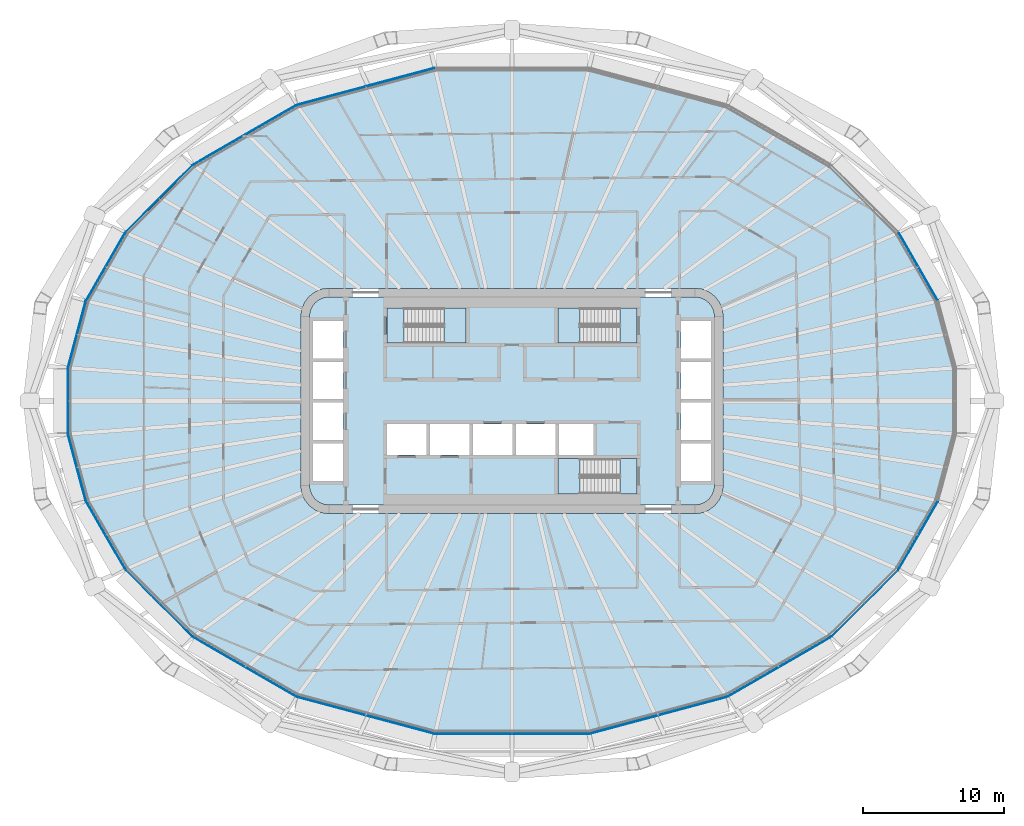
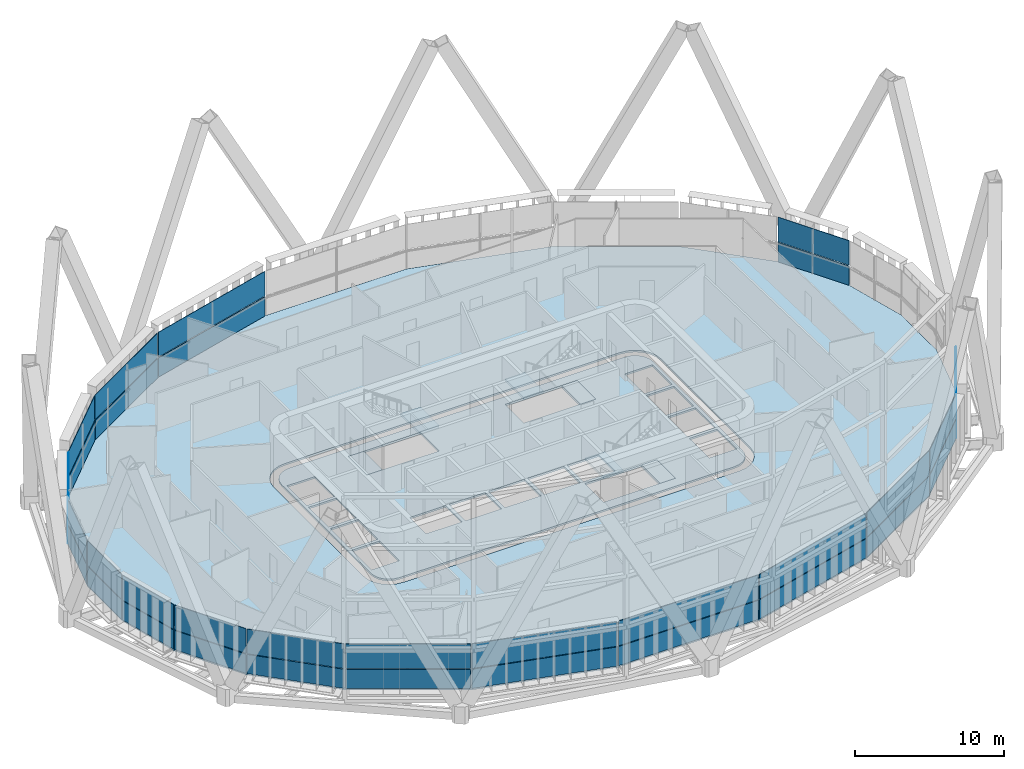
# One storey, part 12 of 25: 34 plates, 8 slabs, 20 elements without a shape of their own.
"""IFC4 building model written with IfcOpenShell, lengths in metres."""

from ifc_helpers import new_model, si_unit, direction, frame, origin, place, context, subcontext, project, spatial, polyline, outline, extrude, material, layer, layer_set, type_object, element, aggregate, save


model = new_model("IFC4")

# Units and contexts
model_context = context("Model", 3, precision=1e-05, world=origin(), true_north=direction((0.0, 1.0)))
body_context = subcontext(model_context, "Body", "Model", "MODEL_VIEW")
ifc_project = project(units=[si_unit("LENGTHUNIT", "METRE"), si_unit("AREAUNIT", "SQUARE_METRE"), si_unit("VOLUMEUNIT", "CUBIC_METRE"), si_unit("PLANEANGLEUNIT", "RADIAN"), si_unit("MASSUNIT", "GRAM", prefix="KILO")], contexts=[model_context])

# Site, building, storey
site_placement = place(None, origin())
site = spatial("IfcSite", under=ifc_project, at=site_placement, CompositionType="ELEMENT")
building_placement = place(site_placement, origin())
building = spatial("IfcBuilding", under=site, at=building_placement, Name="Sahrelin Media Tower", CompositionType="ELEMENT")
storey_placement = place(building_placement, frame((0.0, 0.0, 79.800048828125)))
storey = spatial("IfcBuildingStorey", under=building, at=storey_placement, Name="L14", CompositionType="ELEMENT", Elevation=79.800048828125)

# Slabs
ifc_material_1 = material(Name="Concrete C40/50", Category="concrete")
ifc_layer_1 = layer(ifc_material_1, 0.14990234375)
ifc_layer_set_1 = layer_set([ifc_layer_1], Name="Composite floor slab 150")
slab_type_1 = type_object("IfcSlabType", Name="Composite floor slab 150", PredefinedType="FLOOR", material=ifc_layer_set_1)
placement_1 = place(storey_placement, frame((0.0, 0.0, -0.150146484375)))
element("IfcSlab", 1, at=placement_1, inside=storey, type_object=slab_type_1, Name="Floor slab L14", PredefinedType="FLOOR", context=body_context, shape_type="SweptSolid", body=[
    extrude(outline(polyline([(31.53271484375, -2.3515625), (31.53271484375, 2.3515625), (30.259521484375, 7.103271484375), (27.459716796875, 11.95263671875), (22.646484375, 16.765625), (15.295166015625, 21.010009765625), (5.464599609375, 23.64404296875), (-5.464599609375, 23.64404296875), (-15.295166015625, 21.010009765625), (-22.646484375, 16.765625), (-27.459716796875, 11.95263671875), (-30.259521484375, 7.103271484375), (-31.53271484375, 2.3515625), (-31.53271484375, -2.3515625), (-30.259521484375, -7.103271484375), (-27.459716796875, -11.95263671875), (-22.646484375, -16.765625), (-15.295166015625, -21.010009765625), (-5.464599609375, -23.64404296875), (5.464599609375, -23.64404296875), (15.295166015625, -21.010009765625), (22.646484375, -16.765625), (27.459716796875, -11.95263671875), (30.259521484375, -7.103271484375), (31.53271484375, -2.3515625)]), holes=[polyline([(14.931884765625, 6.517578125), (15.0, 6.0), (15.0, -6.0), (14.931884765625, -6.517578125), (14.732177734375, -7.0), (14.414306640625, -7.414306640625), (14.0, -7.732177734375), (13.517578125, -7.931884765625), (13.0, -8.0), (-13.0, -8.0), (-13.517578125, -7.931884765625), (-14.0, -7.732177734375), (-14.414306640625, -7.414306640625), (-14.732177734375, -7.0), (-14.931884765625, -6.517578125), (-15.0, -6.0), (-15.0, 6.0), (-14.931884765625, 6.517578125), (-14.732177734375, 7.0), (-14.414306640625, 7.414306640625), (-14.0, 7.732177734375), (-13.517578125, 7.931884765625), (-13.0, 8.0), (13.0, 8.0), (13.517578125, 7.931884765625), (14.0, 7.732177734375), (14.414306640625, 7.414306640625), (14.732177734375, 7.0), (14.931884765625, 6.517578125)])]), origin(), (0.0, 0.0, 1.0), 0.150146484375),
])
ifc_layer_2 = layer(ifc_material_1, 0.14990234375)
ifc_layer_set_2 = layer_set([ifc_layer_2], Name="Core floor slab 150")
slab_type_2 = type_object("IfcSlabType", Name="Core floor slab 150", PredefinedType="FLOOR", material=ifc_layer_set_2)
element("IfcSlab", 2, at=placement_1, inside=storey, type_object=slab_type_2, Name="Core floor", PredefinedType="FLOOR", context=body_context, shape_type="SweptSolid", body=[
    extrude(outline(polyline([(-14.347412109375, 6.361083984375), (-14.39990234375, 5.960693359375), (-14.39990234375, -5.960693359375), (-14.347412109375, -6.361083984375), (-14.2080078125, -6.697509765625), (-13.986328125, -6.986328125), (-13.697509765625, -7.2080078125), (-13.361083984375, -7.347412109375), (-12.960693359375, -7.39990234375), (12.960693359375, -7.39990234375), (13.361083984375, -7.347412109375), (13.697509765625, -7.2080078125), (13.986328125, -6.986328125), (14.2080078125, -6.697509765625), (14.347412109375, -6.361083984375), (14.39990234375, -5.960693359375), (14.39990234375, 5.960693359375), (14.347412109375, 6.361083984375), (14.2080078125, 6.697509765625), (13.986328125, 6.986328125), (13.697509765625, 7.2080078125), (13.361083984375, 7.347412109375), (12.960693359375, 7.39990234375), (-12.960693359375, 7.39990234375), (-13.361083984375, 7.347412109375), (-13.697509765625, 7.2080078125), (-13.986328125, 6.986328125), (-14.2080078125, 6.697509765625), (-14.347412109375, 6.361083984375)]), holes=[polyline([(-12.0, 3.02490234375), (-12.0, 5.675048828125), (-14.14990234375, 5.675048828125), (-14.14990234375, 3.02490234375), (-12.0, 3.02490234375)]), polyline([(-14.14990234375, 0.125), (-12.0, 0.125), (-12.0, 2.77490234375), (-14.14990234375, 2.77490234375), (-14.14990234375, 0.125)]), polyline([(-14.14990234375, -0.125), (-14.14990234375, -2.77490234375), (-12.0, -2.77490234375), (-12.0, -0.125), (-14.14990234375, -0.125)]), polyline([(-12.0, -3.02490234375), (-14.14990234375, -3.02490234375), (-14.14990234375, -5.675048828125), (-12.0, -5.675048828125), (-12.0, -3.02490234375)]), polyline([(14.14990234375, 3.02490234375), (14.14990234375, 5.675048828125), (12.0, 5.675048828125), (12.0, 3.02490234375), (14.14990234375, 3.02490234375)]), polyline([(12.0, 0.125), (14.14990234375, 0.125), (14.14990234375, 2.77490234375), (12.0, 2.77490234375), (12.0, 0.125)]), polyline([(12.0, -0.125), (12.0, -2.77490234375), (14.14990234375, -2.77490234375), (14.14990234375, -0.125), (12.0, -0.125)]), polyline([(14.14990234375, -3.02490234375), (12.0, -3.02490234375), (12.0, -5.675048828125), (14.14990234375, -5.675048828125), (14.14990234375, -3.02490234375)]), polyline([(-6.074951171875, -3.85009765625), (-6.074951171875, -1.64990234375), (-8.875, -1.64990234375), (-8.875, -3.85009765625), (-6.074951171875, -3.85009765625)]), polyline([(-5.824951171875, -3.85009765625), (-3.02490234375, -3.85009765625), (-3.02490234375, -1.64990234375), (-5.824951171875, -1.64990234375), (-5.824951171875, -3.85009765625)]), polyline([(-2.77490234375, -1.64990234375), (-2.77490234375, -3.85009765625), (0.02490234375, -3.85009765625), (0.02490234375, -1.64990234375), (-2.77490234375, -1.64990234375)]), polyline([(3.074951171875, -1.64990234375), (0.27490234375, -1.64990234375), (0.27490234375, -3.85009765625), (3.074951171875, -3.85009765625), (3.074951171875, -1.64990234375)]), polyline([(5.77490234375, -3.85009765625), (5.77490234375, -1.64990234375), (3.324951171875, -1.64990234375), (3.324951171875, -3.85009765625), (5.77490234375, -3.85009765625)]), polyline([(-8.875, 6.60009765625), (-8.875, 4.10009765625), (-3.27490234375, 4.10009765625), (-3.27490234375, 6.60009765625), (-8.875, 6.60009765625)]), polyline([(3.27490234375, 4.10009765625), (8.875, 4.10009765625), (8.875, 6.60009765625), (3.27490234375, 6.60009765625), (3.27490234375, 4.10009765625)]), polyline([(3.27490234375, -4.10009765625), (3.27490234375, -6.60009765625), (8.875, -6.60009765625), (8.875, -4.10009765625), (3.27490234375, -4.10009765625)])]), origin(), (0.0, 0.0, 1.0), 0.150146484375),
])

# Curtain wall, plate
ifc_material_2 = material(Name="Champagne anodised aluminium 6063-T6", Category="aluminium")
ifc_layer_3 = layer(ifc_material_2, 0.14990234375)
ifc_layer_set_3 = layer_set([ifc_layer_3], Name="Tower ribbon curtain wall")
curtain_wall_type = type_object("IfcCurtainWallType", Name="Tower ribbon curtain wall", PredefinedType="NOTDEFINED", material=ifc_layer_set_3)
curtain_wall_1_placement = place(storey_placement, frame((28.876708984375, 9.5380859375, 0.0), z_axis=(0.0, 0.0, 1.0), x_axis=(1.0, 0.0, 0.0)))
curtain_wall_1 = element("IfcCurtainWall", 3, at=curtain_wall_1_placement, inside=storey, type_object=curtain_wall_type, Name="L14:CW:L14-02", PredefinedType="NOTDEFINED")
ifc_material_3 = material(Name="Clear low-iron glazing", Category="glass")
ifc_layer_4 = layer(ifc_material_3, 0.0400390625)
ifc_layer_set_4 = layer_set([ifc_layer_4], Name="Glazing panel 40 mm CW1")
plate_type_1 = type_object("IfcPlateType", Name="Glazing panel 40 mm CW1", PredefinedType="CURTAIN_PANEL", material=ifc_layer_set_4)
plate_1_placement = place(storey_placement, frame((30.270263671875, 7.164306640625, 1.6298828125), z_axis=(0.866023842607, 0.500002704028, 0.0), x_axis=(-0.500002704028, 0.866023842607, 0.0)))
plate_1 = element("IfcPlate", 4, at=plate_1_placement, type_object=plate_type_1, Name="L14:CWP2:L14-02", PredefinedType="CURTAIN_PANEL", context=body_context, shape_type="SweptSolid", body=[
    extrude(outline(polyline([(0.0, 0.0), (5.5048828125, 0.0), (5.5048828125, 2.0185546875), (0.0, 2.0185546875), (0.0, 0.0)])), origin(), (0.0, 0.0, -1.0), 0.0400390625),
])

curtain_wall_2_placement = place(storey_placement, frame((-10.385009765625, 22.346435546875, 0.0), z_axis=(0.0, 0.0, 1.0), x_axis=(1.0, 0.0, 0.0)))
curtain_wall_2 = element("IfcCurtainWall", 5, at=curtain_wall_2_placement, inside=storey, type_object=curtain_wall_type, Name="L14:CW:L14-07", PredefinedType="NOTDEFINED")
plate_2_placement = place(storey_placement, frame((-5.520751953125, 23.67041015625, 1.6298828125), z_axis=(-0.258824439285, 0.965924380906, 0.0), x_axis=(-0.965924380906, -0.258824439285, 0.0)))
plate_2 = element("IfcPlate", 6, at=plate_2_placement, type_object=plate_type_1, Name="L14:CWP2:L14-07", PredefinedType="CURTAIN_PANEL", context=body_context, shape_type="SweptSolid", body=[
    extrude(outline(polyline([(0.0, 0.0), (10.08251953125, 0.0), (10.08251953125, 2.0185546875), (0.0, 2.0185546875), (0.0, 0.0)])), origin(), (0.0, 0.0, -1.0), 0.0400390625),
])

curtain_wall_3_placement = place(storey_placement, frame((-18.98095703125, 18.9052734375, 0.0), z_axis=(0.0, 0.0, 1.0), x_axis=(1.0, 0.0, 0.0)))
curtain_wall_3 = element("IfcCurtainWall", 7, at=curtain_wall_3_placement, inside=storey, type_object=curtain_wall_type, Name="L14:CW:L14-08", PredefinedType="NOTDEFINED")
plate_3_placement = place(storey_placement, frame((-15.356201171875, 21.02099609375, 1.6298828125), z_axis=(-0.500008632582, 0.866020419704, 0.0), x_axis=(-0.866020419704, -0.500008632582, 0.0)))
plate_3 = element("IfcPlate", 8, at=plate_3_placement, type_object=plate_type_1, Name="L14:CWP2:L14-08", PredefinedType="CURTAIN_PANEL", context=body_context, shape_type="SweptSolid", body=[
    extrude(outline(polyline([(0.0, 0.0), (8.393798828125, 0.0), (8.393798828125, 2.0185546875), (0.0, 2.0185546875), (0.0, 0.0)])), origin(), (0.0, 0.0, -1.0), 0.0400390625),
])

curtain_wall_4_placement = place(storey_placement, frame((-25.067138671875, 14.373291015625, 0.0), z_axis=(0.0, 0.0, 1.0), x_axis=(1.0, 0.0, 0.0)))
curtain_wall_4 = element("IfcCurtainWall", 9, at=curtain_wall_4_placement, inside=storey, type_object=curtain_wall_type, Name="L14:CW:L14-09", PredefinedType="NOTDEFINED")
plate_4_placement = place(storey_placement, frame((-22.708251953125, 16.760498046875, 1.6298828125), z_axis=(-0.707106781187, 0.707106781187, 0.0), x_axis=(-0.707106781187, -0.707106781187, 0.0)))
plate_4 = element("IfcPlate", 10, at=plate_4_placement, type_object=plate_type_1, Name="L14:CWP2:L14-09", PredefinedType="CURTAIN_PANEL", context=body_context, shape_type="SweptSolid", body=[
    extrude(outline(polyline([(0.0, 0.0), (6.7119140625, 0.0), (6.7119140625, 2.0185546875), (0.0, 2.0185546875), (0.0, 0.0)])), origin(), (0.0, 0.0, -1.0), 0.0400390625),
])

curtain_wall_5_placement = place(storey_placement, frame((-28.876708984375, 9.537841796875, 0.0), z_axis=(0.0, 0.0, 1.0), x_axis=(1.0, 0.0, 0.0)))
curtain_wall_5 = element("IfcCurtainWall", 11, at=curtain_wall_5_placement, inside=storey, type_object=curtain_wall_type, Name="L14:CW:L14-10", PredefinedType="NOTDEFINED")
plate_5_placement = place(storey_placement, frame((-27.517822265625, 11.931640625, 1.6298828125), z_axis=(-0.866023842607, 0.500002704028, 0.0), x_axis=(-0.500002704028, -0.866023842607, 0.0)))
plate_5 = element("IfcPlate", 12, at=plate_5_placement, type_object=plate_type_1, Name="L14:CWP2:L14-10", PredefinedType="CURTAIN_PANEL", context=body_context, shape_type="SweptSolid", body=[
    extrude(outline(polyline([(0.0, 0.0), (5.5048828125, 0.0), (5.5048828125, 2.0185546875), (0.0, 2.0185546875), (0.0, 0.0)])), origin(), (0.0, 0.0, -1.0), 0.0400390625),
])

curtain_wall_6_placement = place(storey_placement, frame((-30.915283203125, 4.732666015625, 0.0), z_axis=(0.0, 0.0, 1.0), x_axis=(1.0, 0.0, 0.0)))
curtain_wall_6 = element("IfcCurtainWall", 13, at=curtain_wall_6_placement, inside=storey, type_object=curtain_wall_type, Name="L14:CW:L14-11", PredefinedType="NOTDEFINED")
plate_6_placement = place(storey_placement, frame((-30.310302734375, 7.06787109375, 1.6298828125), z_axis=(-0.965920945215, 0.258837260833, 0.0), x_axis=(-0.258837260833, -0.965920945215, 0.0)))
plate_6 = element("IfcPlate", 14, at=plate_6_placement, type_object=plate_type_1, Name="L14:CWP2:L14-11", PredefinedType="CURTAIN_PANEL", context=body_context, shape_type="SweptSolid", body=[
    extrude(outline(polyline([(0.0, 0.0), (4.824462890625, 0.0), (4.824462890625, 2.0185546875), (0.0, 2.0185546875), (0.0, 0.0)])), origin(), (0.0, 0.0, -1.0), 0.0400390625),
])

curtain_wall_7_placement = place(storey_placement, frame((-31.552490234375, 0.0, 0.0), z_axis=(0.0, 0.0, 1.0), x_axis=(1.0, 0.0, 0.0)))
curtain_wall_7 = element("IfcCurtainWall", 15, at=curtain_wall_7_placement, inside=storey, type_object=curtain_wall_type, Name="L14:CW:L14-12", PredefinedType="NOTDEFINED")
plate_7_placement = place(storey_placement, frame((-31.572509765625, 2.30419921875, 1.6298828125), z_axis=(-1.0, 0.0, 0.0), x_axis=(0.0, -1.0, 0.0)))
plate_7 = element("IfcPlate", 16, at=plate_7_placement, type_object=plate_type_1, Name="L14:CWP2:L14-12", PredefinedType="CURTAIN_PANEL", context=body_context, shape_type="SweptSolid", body=[
    extrude(outline(polyline([(0.0, 0.0), (4.6083984375, 0.0), (4.6083984375, 2.0185546875), (0.0, 2.0185546875), (0.0, 0.0)])), origin(), (0.0, 0.0, -1.0), 0.0400390625),
])

curtain_wall_8_placement = place(storey_placement, frame((-30.915283203125, -4.732666015625, 0.0), z_axis=(0.0, 0.0, 1.0), x_axis=(1.0, 0.0, 0.0)))
curtain_wall_8 = element("IfcCurtainWall", 17, at=curtain_wall_8_placement, inside=storey, type_object=curtain_wall_type, Name="L14:CW:L14-13", PredefinedType="NOTDEFINED")
plate_8_placement = place(storey_placement, frame((-31.55908203125, -2.40771484375, 1.6298828125), z_axis=(-0.965920945215, -0.258837260833, 0.0), x_axis=(0.258837260833, -0.965920945215, 0.0)))
plate_8 = element("IfcPlate", 18, at=plate_8_placement, type_object=plate_type_1, Name="L14:CWP2:L14-13", PredefinedType="CURTAIN_PANEL", context=body_context, shape_type="SweptSolid", body=[
    extrude(outline(polyline([(0.0, 0.0), (4.824462890625, 0.0), (4.824462890625, 2.0185546875), (0.0, 2.0185546875), (0.0, 0.0)])), origin(), (0.0, 0.0, -1.0), 0.0400390625),
])

curtain_wall_9_placement = place(storey_placement, frame((-28.876708984375, -9.5380859375, 0.0), z_axis=(0.0, 0.0, 1.0), x_axis=(1.0, 0.0, 0.0)))
curtain_wall_9 = element("IfcCurtainWall", 19, at=curtain_wall_9_placement, inside=storey, type_object=curtain_wall_type, Name="L14:CW:L14-14", PredefinedType="NOTDEFINED")
plate_9_placement = place(storey_placement, frame((-30.270263671875, -7.164306640625, 1.6298828125), z_axis=(-0.866023842607, -0.500002704028, 0.0), x_axis=(0.500002704028, -0.866023842607, 0.0)))
plate_9 = element("IfcPlate", 20, at=plate_9_placement, type_object=plate_type_1, Name="L14:CWP2:L14-14", PredefinedType="CURTAIN_PANEL", context=body_context, shape_type="SweptSolid", body=[
    extrude(outline(polyline([(0.0, 0.0), (5.5048828125, 0.0), (5.5048828125, 2.0185546875), (0.0, 2.0185546875), (0.0, 0.0)])), origin(), (0.0, 0.0, -1.0), 0.0400390625),
])

curtain_wall_10_placement = place(storey_placement, frame((-25.067138671875, -14.373291015625, 0.0), z_axis=(0.0, 0.0, 1.0), x_axis=(1.0, 0.0, 0.0)))
curtain_wall_10 = element("IfcCurtainWall", 21, at=curtain_wall_10_placement, inside=storey, type_object=curtain_wall_type, Name="L14:CW:L14-15", PredefinedType="NOTDEFINED")
plate_10_placement = place(storey_placement, frame((-27.454345703125, -12.014404296875, 1.6298828125), z_axis=(-0.707106781187, -0.707106781187, 0.0), x_axis=(0.707106781187, -0.707106781187, 0.0)))
plate_10 = element("IfcPlate", 22, at=plate_10_placement, type_object=plate_type_1, Name="L14:CWP2:L14-15", PredefinedType="CURTAIN_PANEL", context=body_context, shape_type="SweptSolid", body=[
    extrude(outline(polyline([(0.0, 0.0), (6.7119140625, 0.0), (6.7119140625, 2.0185546875), (0.0, 2.0185546875), (0.0, 0.0)])), origin(), (0.0, 0.0, -1.0), 0.0400390625),
])

curtain_wall_11_placement = place(storey_placement, frame((-18.980712890625, -18.905029296875, 0.0), z_axis=(0.0, 0.0, 1.0), x_axis=(1.0, 0.0, 0.0)))
curtain_wall_11 = element("IfcCurtainWall", 23, at=curtain_wall_11_placement, inside=storey, type_object=curtain_wall_type, Name="L14:CW:L14-16", PredefinedType="NOTDEFINED")
plate_11_placement = place(storey_placement, frame((-22.62548828125, -16.823974609375, 1.6298828125), z_axis=(-0.500008632582, -0.866020419704, 0.0), x_axis=(0.866020419704, -0.500008632582, 0.0)))
plate_11 = element("IfcPlate", 24, at=plate_11_placement, type_object=plate_type_1, Name="L14:CWP2:L14-16", PredefinedType="CURTAIN_PANEL", context=body_context, shape_type="SweptSolid", body=[
    extrude(outline(polyline([(0.0, 0.0), (8.393798828125, 0.0), (8.393798828125, 2.0185546875), (0.0, 2.0185546875), (0.0, 0.0)])), origin(), (0.0, 0.0, -1.0), 0.0400390625),
])

curtain_wall_12_placement = place(storey_placement, frame((-10.385009765625, -22.346435546875, 0.0), z_axis=(0.0, 0.0, 1.0), x_axis=(1.0, 0.0, 0.0)))
curtain_wall_12 = element("IfcCurtainWall", 25, at=curtain_wall_12_placement, inside=storey, type_object=curtain_wall_type, Name="L14:CW:L14-17", PredefinedType="NOTDEFINED")
plate_12_placement = place(storey_placement, frame((-15.259765625, -21.060791015625, 1.6298828125), z_axis=(-0.258824439285, -0.965924380906, 0.0), x_axis=(0.965924380906, -0.258824439285, 0.0)))
plate_12 = element("IfcPlate", 26, at=plate_12_placement, type_object=plate_type_1, Name="L14:CWP2:L14-17", PredefinedType="CURTAIN_PANEL", context=body_context, shape_type="SweptSolid", body=[
    extrude(outline(polyline([(0.0, 0.0), (10.08251953125, 0.0), (10.08251953125, 2.0185546875), (0.0, 2.0185546875), (0.0, 0.0)])), origin(), (0.0, 0.0, -1.0), 0.0400390625),
])

curtain_wall_13_placement = place(storey_placement, frame((0.0, -23.6640625, 0.0), z_axis=(0.0, 0.0, 1.0), x_axis=(1.0, 0.0, 0.0)))
curtain_wall_13 = element("IfcCurtainWall", 27, at=curtain_wall_13_placement, inside=storey, type_object=curtain_wall_type, Name="L14:CW:L14-18", PredefinedType="NOTDEFINED")
plate_13_placement = place(storey_placement, frame((-5.417236328125, -23.68408203125, 1.6298828125), z_axis=(0.0, -1.0, 0.0), x_axis=(1.0, 0.0, 0.0)))
plate_13 = element("IfcPlate", 28, at=plate_13_placement, type_object=plate_type_1, Name="L14:CWP2:L14-18", PredefinedType="CURTAIN_PANEL", context=body_context, shape_type="SweptSolid", body=[
    extrude(outline(polyline([(0.0, 0.0), (10.83447265625, 0.0), (10.83447265625, 2.0185546875), (0.0, 2.0185546875), (0.0, 0.0)])), origin(), (0.0, 0.0, -1.0), 0.0400390625),
])

curtain_wall_14_placement = place(storey_placement, frame((10.385009765625, -22.346435546875, 0.0), z_axis=(0.0, 0.0, 1.0), x_axis=(1.0, 0.0, 0.0)))
curtain_wall_14 = element("IfcCurtainWall", 29, at=curtain_wall_14_placement, inside=storey, type_object=curtain_wall_type, Name="L14:CW:L14-19", PredefinedType="NOTDEFINED")
plate_14_placement = place(storey_placement, frame((5.520751953125, -23.67041015625, 1.6298828125), z_axis=(0.258824439285, -0.965924380906, 0.0), x_axis=(0.965924380906, 0.258824439285, 0.0)))
plate_14 = element("IfcPlate", 30, at=plate_14_placement, type_object=plate_type_1, Name="L14:CWP2:L14-19", PredefinedType="CURTAIN_PANEL", context=body_context, shape_type="SweptSolid", body=[
    extrude(outline(polyline([(0.0, 0.0), (10.08251953125, 0.0), (10.08251953125, 2.0185546875), (0.0, 2.0185546875), (0.0, 0.0)])), origin(), (0.0, 0.0, -1.0), 0.0400390625),
])

curtain_wall_15_placement = place(storey_placement, frame((18.98095703125, -18.9052734375, 0.0), z_axis=(0.0, 0.0, 1.0), x_axis=(1.0, 0.0, 0.0)))
curtain_wall_15 = element("IfcCurtainWall", 31, at=curtain_wall_15_placement, inside=storey, type_object=curtain_wall_type, Name="L14:CW:L14-20", PredefinedType="NOTDEFINED")
plate_15_placement = place(storey_placement, frame((15.356201171875, -21.02099609375, 1.6298828125), z_axis=(0.500008632582, -0.866020419704, 0.0), x_axis=(0.866020419704, 0.500008632582, 0.0)))
plate_15 = element("IfcPlate", 32, at=plate_15_placement, type_object=plate_type_1, Name="L14:CWP2:L14-20", PredefinedType="CURTAIN_PANEL", context=body_context, shape_type="SweptSolid", body=[
    extrude(outline(polyline([(0.0, 0.0), (8.393798828125, 0.0), (8.393798828125, 2.0185546875), (0.0, 2.0185546875), (0.0, 0.0)])), origin(), (0.0, 0.0, -1.0), 0.0400390625),
])

curtain_wall_16_placement = place(storey_placement, frame((25.067138671875, -14.373291015625, 0.0), z_axis=(0.0, 0.0, 1.0), x_axis=(1.0, 0.0, 0.0)))
curtain_wall_16 = element("IfcCurtainWall", 33, at=curtain_wall_16_placement, inside=storey, type_object=curtain_wall_type, Name="L14:CW:L14-21", PredefinedType="NOTDEFINED")
plate_16_placement = place(storey_placement, frame((22.708251953125, -16.760498046875, 1.6298828125), z_axis=(0.707106781187, -0.707106781187, 0.0), x_axis=(0.707106781187, 0.707106781187, 0.0)))
plate_16 = element("IfcPlate", 34, at=plate_16_placement, type_object=plate_type_1, Name="L14:CWP2:L14-21", PredefinedType="CURTAIN_PANEL", context=body_context, shape_type="SweptSolid", body=[
    extrude(outline(polyline([(0.0, 0.0), (6.7119140625, 0.0), (6.7119140625, 2.0185546875), (0.0, 2.0185546875), (0.0, 0.0)])), origin(), (0.0, 0.0, -1.0), 0.0400390625),
])

curtain_wall_17_placement = place(storey_placement, frame((28.876708984375, -9.537841796875, 0.0), z_axis=(0.0, 0.0, 1.0), x_axis=(1.0, 0.0, 0.0)))
curtain_wall_17 = element("IfcCurtainWall", 35, at=curtain_wall_17_placement, inside=storey, type_object=curtain_wall_type, Name="L14:CW:L14-22", PredefinedType="NOTDEFINED")
plate_17_placement = place(storey_placement, frame((27.517822265625, -11.931640625, 1.6298828125), z_axis=(0.866023842607, -0.500002704028, 0.0), x_axis=(0.500002704028, 0.866023842607, 0.0)))
plate_17 = element("IfcPlate", 36, at=plate_17_placement, type_object=plate_type_1, Name="L14:CWP2:L14-22", PredefinedType="CURTAIN_PANEL", context=body_context, shape_type="SweptSolid", body=[
    extrude(outline(polyline([(0.0, 0.0), (5.5048828125, 0.0), (5.5048828125, 2.0185546875), (0.0, 2.0185546875), (0.0, 0.0)])), origin(), (0.0, 0.0, -1.0), 0.0400390625),
])

# Plate
ifc_material_4 = material(Name="Insulated spandrel panel")
ifc_layer_5 = layer(ifc_material_4, 0.06005859375)
ifc_layer_set_5 = layer_set([ifc_layer_5], Name="Spandrel panel 60 mm CW1")
plate_type_2 = type_object("IfcPlateType", Name="Spandrel panel 60 mm CW1", PredefinedType="SHEET", material=ifc_layer_set_5)
plate_18_placement = place(storey_placement, frame((30.270263671875, 7.164306640625, 0.0), z_axis=(0.866023842607, 0.500002704028, 0.0), x_axis=(-0.500002704028, 0.866023842607, 0.0)))
plate_18 = element("IfcPlate", 37, at=plate_18_placement, type_object=plate_type_2, Name="L14:CWP1:L14-02", PredefinedType="SHEET", context=body_context, shape_type="SweptSolid", body=[
    extrude(outline(polyline([(0.0, 0.0), (5.5048828125, 0.0), (5.5048828125, 1.570068359375), (0.0, 1.570068359375), (0.0, 0.0)])), origin(), (0.0, 0.0, -1.0), 0.06005859375),
])

aggregate(curtain_wall_1, [plate_18, plate_1])

plate_19_placement = place(storey_placement, frame((-5.520751953125, 23.67041015625, 0.0), z_axis=(-0.258824439285, 0.965924380906, 0.0), x_axis=(-0.965924380906, -0.258824439285, 0.0)))
plate_19 = element("IfcPlate", 38, at=plate_19_placement, type_object=plate_type_2, Name="L14:CWP1:L14-07", PredefinedType="SHEET", context=body_context, shape_type="SweptSolid", body=[
    extrude(outline(polyline([(0.0, 0.0), (10.08251953125, 0.0), (10.08251953125, 1.570068359375), (0.0, 1.570068359375), (0.0, 0.0)])), origin(), (0.0, 0.0, -1.0), 0.06005859375),
])

aggregate(curtain_wall_2, [plate_19, plate_2])

plate_20_placement = place(storey_placement, frame((-15.356201171875, 21.02099609375, 0.0), z_axis=(-0.500008632582, 0.866020419704, 0.0), x_axis=(-0.866020419704, -0.500008632582, 0.0)))
plate_20 = element("IfcPlate", 39, at=plate_20_placement, type_object=plate_type_2, Name="L14:CWP1:L14-08", PredefinedType="SHEET", context=body_context, shape_type="SweptSolid", body=[
    extrude(outline(polyline([(0.0, 0.0), (8.393798828125, 0.0), (8.393798828125, 1.570068359375), (0.0, 1.570068359375), (0.0, 0.0)])), origin(), (0.0, 0.0, -1.0), 0.06005859375),
])

aggregate(curtain_wall_3, [plate_20, plate_3])

plate_21_placement = place(storey_placement, frame((-22.708251953125, 16.760498046875, 0.0), z_axis=(-0.707106781187, 0.707106781187, 0.0), x_axis=(-0.707106781187, -0.707106781187, 0.0)))
plate_21 = element("IfcPlate", 40, at=plate_21_placement, type_object=plate_type_2, Name="L14:CWP1:L14-09", PredefinedType="SHEET", context=body_context, shape_type="SweptSolid", body=[
    extrude(outline(polyline([(0.0, 0.0), (6.7119140625, 0.0), (6.7119140625, 1.570068359375), (0.0, 1.570068359375), (0.0, 0.0)])), origin(), (0.0, 0.0, -1.0), 0.06005859375),
])

aggregate(curtain_wall_4, [plate_21, plate_4])

plate_22_placement = place(storey_placement, frame((-27.517822265625, 11.931640625, 0.0), z_axis=(-0.866023842607, 0.500002704028, 0.0), x_axis=(-0.500002704028, -0.866023842607, 0.0)))
plate_22 = element("IfcPlate", 41, at=plate_22_placement, type_object=plate_type_2, Name="L14:CWP1:L14-10", PredefinedType="SHEET", context=body_context, shape_type="SweptSolid", body=[
    extrude(outline(polyline([(0.0, 0.0), (5.5048828125, 0.0), (5.5048828125, 1.570068359375), (0.0, 1.570068359375), (0.0, 0.0)])), origin(), (0.0, 0.0, -1.0), 0.06005859375),
])

aggregate(curtain_wall_5, [plate_22, plate_5])

plate_23_placement = place(storey_placement, frame((-30.310302734375, 7.06787109375, 0.0), z_axis=(-0.965920945215, 0.258837260833, 0.0), x_axis=(-0.258837260833, -0.965920945215, 0.0)))
plate_23 = element("IfcPlate", 42, at=plate_23_placement, type_object=plate_type_2, Name="L14:CWP1:L14-11", PredefinedType="SHEET", context=body_context, shape_type="SweptSolid", body=[
    extrude(outline(polyline([(0.0, 0.0), (4.824462890625, 0.0), (4.824462890625, 1.570068359375), (0.0, 1.570068359375), (0.0, 0.0)])), origin(), (0.0, 0.0, -1.0), 0.06005859375),
])

aggregate(curtain_wall_6, [plate_23, plate_6])

plate_24_placement = place(storey_placement, frame((-31.572509765625, 2.30419921875, 0.0), z_axis=(-1.0, 0.0, 0.0), x_axis=(0.0, -1.0, 0.0)))
plate_24 = element("IfcPlate", 43, at=plate_24_placement, type_object=plate_type_2, Name="L14:CWP1:L14-12", PredefinedType="SHEET", context=body_context, shape_type="SweptSolid", body=[
    extrude(outline(polyline([(0.0, 0.0), (4.6083984375, 0.0), (4.6083984375, 1.570068359375), (0.0, 1.570068359375), (0.0, 0.0)])), origin(), (0.0, 0.0, -1.0), 0.06005859375),
])

aggregate(curtain_wall_7, [plate_24, plate_7])

plate_25_placement = place(storey_placement, frame((-31.55908203125, -2.40771484375, 0.0), z_axis=(-0.965920945215, -0.258837260833, 0.0), x_axis=(0.258837260833, -0.965920945215, 0.0)))
plate_25 = element("IfcPlate", 44, at=plate_25_placement, type_object=plate_type_2, Name="L14:CWP1:L14-13", PredefinedType="SHEET", context=body_context, shape_type="SweptSolid", body=[
    extrude(outline(polyline([(0.0, 0.0), (4.824462890625, 0.0), (4.824462890625, 1.570068359375), (0.0, 1.570068359375), (0.0, 0.0)])), origin(), (0.0, 0.0, -1.0), 0.06005859375),
])

aggregate(curtain_wall_8, [plate_25, plate_8])

plate_26_placement = place(storey_placement, frame((-30.270263671875, -7.164306640625, 0.0), z_axis=(-0.866023842607, -0.500002704028, 0.0), x_axis=(0.500002704028, -0.866023842607, 0.0)))
plate_26 = element("IfcPlate", 45, at=plate_26_placement, type_object=plate_type_2, Name="L14:CWP1:L14-14", PredefinedType="SHEET", context=body_context, shape_type="SweptSolid", body=[
    extrude(outline(polyline([(0.0, 0.0), (5.5048828125, 0.0), (5.5048828125, 1.570068359375), (0.0, 1.570068359375), (0.0, 0.0)])), origin(), (0.0, 0.0, -1.0), 0.06005859375),
])

aggregate(curtain_wall_9, [plate_26, plate_9])

plate_27_placement = place(storey_placement, frame((-27.454345703125, -12.014404296875, 0.0), z_axis=(-0.707106781187, -0.707106781187, 0.0), x_axis=(0.707106781187, -0.707106781187, 0.0)))
plate_27 = element("IfcPlate", 46, at=plate_27_placement, type_object=plate_type_2, Name="L14:CWP1:L14-15", PredefinedType="SHEET", context=body_context, shape_type="SweptSolid", body=[
    extrude(outline(polyline([(0.0, 0.0), (6.7119140625, 0.0), (6.7119140625, 1.570068359375), (0.0, 1.570068359375), (0.0, 0.0)])), origin(), (0.0, 0.0, -1.0), 0.06005859375),
])

aggregate(curtain_wall_10, [plate_27, plate_10])

plate_28_placement = place(storey_placement, frame((-22.62548828125, -16.823974609375, 0.0), z_axis=(-0.500008632582, -0.866020419704, 0.0), x_axis=(0.866020419704, -0.500008632582, 0.0)))
plate_28 = element("IfcPlate", 47, at=plate_28_placement, type_object=plate_type_2, Name="L14:CWP1:L14-16", PredefinedType="SHEET", context=body_context, shape_type="SweptSolid", body=[
    extrude(outline(polyline([(0.0, 0.0), (8.393798828125, 0.0), (8.393798828125, 1.570068359375), (0.0, 1.570068359375), (0.0, 0.0)])), origin(), (0.0, 0.0, -1.0), 0.06005859375),
])

aggregate(curtain_wall_11, [plate_28, plate_11])

plate_29_placement = place(storey_placement, frame((-15.259765625, -21.060791015625, 0.0), z_axis=(-0.258824439285, -0.965924380906, 0.0), x_axis=(0.965924380906, -0.258824439285, 0.0)))
plate_29 = element("IfcPlate", 48, at=plate_29_placement, type_object=plate_type_2, Name="L14:CWP1:L14-17", PredefinedType="SHEET", context=body_context, shape_type="SweptSolid", body=[
    extrude(outline(polyline([(0.0, 0.0), (10.08251953125, 0.0), (10.08251953125, 1.570068359375), (0.0, 1.570068359375), (0.0, 0.0)])), origin(), (0.0, 0.0, -1.0), 0.06005859375),
])

aggregate(curtain_wall_12, [plate_29, plate_12])

plate_30_placement = place(storey_placement, frame((-5.417236328125, -23.68408203125, 0.0), z_axis=(0.0, -1.0, 0.0), x_axis=(1.0, 0.0, 0.0)))
plate_30 = element("IfcPlate", 49, at=plate_30_placement, type_object=plate_type_2, Name="L14:CWP1:L14-18", PredefinedType="SHEET", context=body_context, shape_type="SweptSolid", body=[
    extrude(outline(polyline([(0.0, 0.0), (10.83447265625, 0.0), (10.83447265625, 1.570068359375), (0.0, 1.570068359375), (0.0, 0.0)])), origin(), (0.0, 0.0, -1.0), 0.06005859375),
])

aggregate(curtain_wall_13, [plate_30, plate_13])

plate_31_placement = place(storey_placement, frame((5.520751953125, -23.67041015625, 0.0), z_axis=(0.258824439285, -0.965924380906, 0.0), x_axis=(0.965924380906, 0.258824439285, 0.0)))
plate_31 = element("IfcPlate", 50, at=plate_31_placement, type_object=plate_type_2, Name="L14:CWP1:L14-19", PredefinedType="SHEET", context=body_context, shape_type="SweptSolid", body=[
    extrude(outline(polyline([(0.0, 0.0), (10.08251953125, 0.0), (10.08251953125, 1.570068359375), (0.0, 1.570068359375), (0.0, 0.0)])), origin(), (0.0, 0.0, -1.0), 0.06005859375),
])

aggregate(curtain_wall_14, [plate_31, plate_14])

plate_32_placement = place(storey_placement, frame((15.356201171875, -21.02099609375, 0.0), z_axis=(0.500008632582, -0.866020419704, 0.0), x_axis=(0.866020419704, 0.500008632582, 0.0)))
plate_32 = element("IfcPlate", 51, at=plate_32_placement, type_object=plate_type_2, Name="L14:CWP1:L14-20", PredefinedType="SHEET", context=body_context, shape_type="SweptSolid", body=[
    extrude(outline(polyline([(0.0, 0.0), (8.393798828125, 0.0), (8.393798828125, 1.570068359375), (0.0, 1.570068359375), (0.0, 0.0)])), origin(), (0.0, 0.0, -1.0), 0.06005859375),
])

aggregate(curtain_wall_15, [plate_32, plate_15])

plate_33_placement = place(storey_placement, frame((22.708251953125, -16.760498046875, 0.0), z_axis=(0.707106781187, -0.707106781187, 0.0), x_axis=(0.707106781187, 0.707106781187, 0.0)))
plate_33 = element("IfcPlate", 52, at=plate_33_placement, type_object=plate_type_2, Name="L14:CWP1:L14-21", PredefinedType="SHEET", context=body_context, shape_type="SweptSolid", body=[
    extrude(outline(polyline([(0.0, 0.0), (6.7119140625, 0.0), (6.7119140625, 1.570068359375), (0.0, 1.570068359375), (0.0, 0.0)])), origin(), (0.0, 0.0, -1.0), 0.06005859375),
])

aggregate(curtain_wall_16, [plate_33, plate_16])

plate_34_placement = place(storey_placement, frame((27.517822265625, -11.931640625, 0.0), z_axis=(0.866023842607, -0.500002704028, 0.0), x_axis=(0.500002704028, 0.866023842607, 0.0)))
plate_34 = element("IfcPlate", 53, at=plate_34_placement, type_object=plate_type_2, Name="L14:CWP1:L14-22", PredefinedType="SHEET", context=body_context, shape_type="SweptSolid", body=[
    extrude(outline(polyline([(0.0, 0.0), (5.5048828125, 0.0), (5.5048828125, 1.570068359375), (0.0, 1.570068359375), (0.0, 0.0)])), origin(), (0.0, 0.0, -1.0), 0.06005859375),
])

aggregate(curtain_wall_17, [plate_34, plate_17])

# Stair, slabs
stair_type = type_object("IfcStairType", Name="Exit stair 1200", PredefinedType="HALF_TURN_STAIR", material=ifc_material_1)
placement_2 = place(storey_placement, origin())
stair_1 = element("IfcStair", 54, at=placement_2, inside=storey, type_object=stair_type, Name="L14 Exit stair ST1", PredefinedType="HALF_TURN_STAIR")
ifc_layer_6 = layer(ifc_material_1, 0.199951171875)
ifc_layer_set_6 = layer_set([ifc_layer_6], Name="Stair landing 200")
slab_type_3 = type_object("IfcSlabType", Name="Stair landing 200", PredefinedType="LANDING", material=ifc_layer_set_6)
placement_3 = place(storey_placement, frame((0.0, 0.0, 1.89990234375)))
slab_3 = element("IfcSlab", 55, at=placement_3, type_object=slab_type_3, Name="ST1 landing 1", PredefinedType="LANDING", context=body_context, shape_type="SweptSolid", body=[
    extrude(outline(polyline([(-4.81494140625, 4.10009765625), (-3.27490234375, 4.10009765625), (-3.27490234375, 6.60009765625), (-4.81494140625, 6.60009765625), (-4.81494140625, 4.10009765625)])), origin(), (0.0, 0.0, 1.0), 0.199951171875),
])
placement_4 = place(storey_placement, frame((0.0, 0.0, -0.199951171875)))
slab_4 = element("IfcSlab", 56, at=placement_4, type_object=slab_type_3, Name="ST1 landing 2", PredefinedType="LANDING", context=body_context, shape_type="SweptSolid", body=[
    extrude(outline(polyline([(-8.875, 4.10009765625), (-7.675048828125, 4.10009765625), (-7.675048828125, 6.60009765625), (-8.875, 6.60009765625), (-8.875, 4.10009765625)])), origin(), (0.0, 0.0, 1.0), 0.199951171875),
])
aggregate(stair_1, [slab_3, slab_4])

stair_2 = element("IfcStair", 57, at=placement_2, inside=storey, type_object=stair_type, Name="L14 Exit stair ST3", PredefinedType="HALF_TURN_STAIR")
slab_5 = element("IfcSlab", 58, at=placement_3, type_object=slab_type_3, Name="ST3 landing 1", PredefinedType="LANDING", context=body_context, shape_type="SweptSolid", body=[
    extrude(outline(polyline([(4.81494140625, 6.60009765625), (3.27490234375, 6.60009765625), (3.27490234375, 4.10009765625), (4.81494140625, 4.10009765625), (4.81494140625, 6.60009765625)])), origin(), (0.0, 0.0, 1.0), 0.199951171875),
])
slab_6 = element("IfcSlab", 59, at=placement_4, type_object=slab_type_3, Name="ST3 landing 2", PredefinedType="LANDING", context=body_context, shape_type="SweptSolid", body=[
    extrude(outline(polyline([(8.875, 6.60009765625), (7.675048828125, 6.60009765625), (7.675048828125, 4.10009765625), (8.875, 4.10009765625), (8.875, 6.60009765625)])), origin(), (0.0, 0.0, 1.0), 0.199951171875),
])
aggregate(stair_2, [slab_5, slab_6])

stair_3 = element("IfcStair", 60, at=placement_2, inside=storey, type_object=stair_type, Name="L14 Exit stair ST2", PredefinedType="HALF_TURN_STAIR")
slab_7 = element("IfcSlab", 61, at=placement_3, type_object=slab_type_3, Name="ST2 landing 1", PredefinedType="LANDING", context=body_context, shape_type="SweptSolid", body=[
    extrude(outline(polyline([(4.81494140625, -4.10009765625), (3.27490234375, -4.10009765625), (3.27490234375, -6.60009765625), (4.81494140625, -6.60009765625), (4.81494140625, -4.10009765625)])), origin(), (0.0, 0.0, 1.0), 0.199951171875),
])
slab_8 = element("IfcSlab", 62, at=placement_4, type_object=slab_type_3, Name="ST2 landing 2", PredefinedType="LANDING", context=body_context, shape_type="SweptSolid", body=[
    extrude(outline(polyline([(8.875, -4.10009765625), (7.675048828125, -4.10009765625), (7.675048828125, -6.60009765625), (8.875, -6.60009765625), (8.875, -4.10009765625)])), origin(), (0.0, 0.0, 1.0), 0.199951171875),
])
aggregate(stair_3, [slab_7, slab_8])

save(model, "model.ifc")
